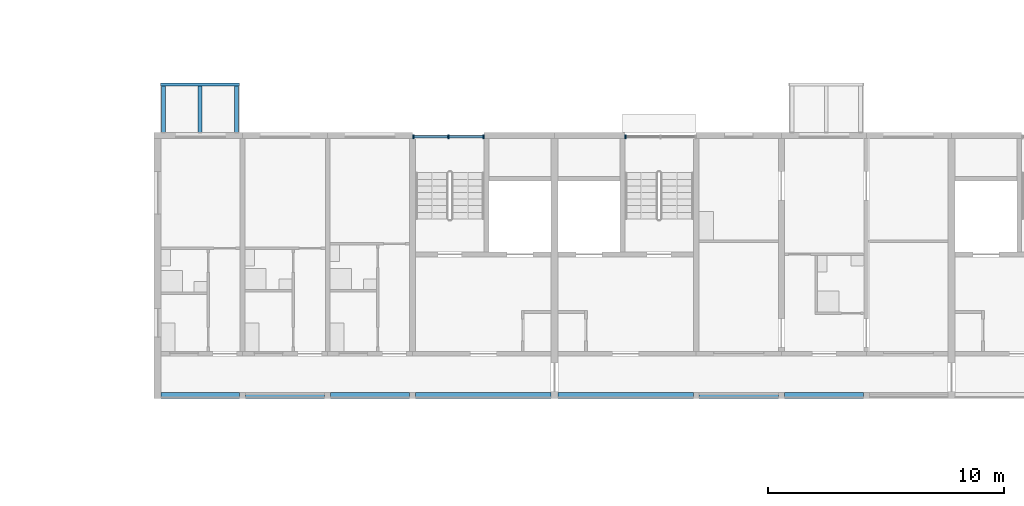
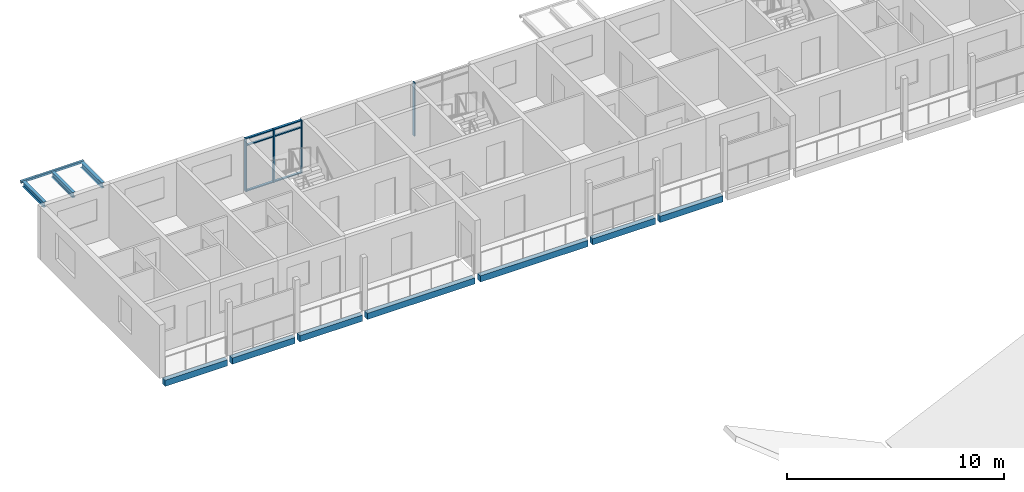
# One storey, part 16 of 122: 11 beams, 10 members, 2 elements without a shape of their own.
"""IFC4 building model written with IfcOpenShell, lengths in metres."""

from ifc_helpers import new_model, si_unit, direction, frame, origin, origin_2d, place, context, subcontext, project, spatial, rectangle, hollow_rectangle, i_section, extrude, material, material_profile, profile_set, type_object, element, aggregate, save


model = new_model("IFC4")

# Units and contexts
model_context = context("Model", 3, precision=1e-05, world=origin(), true_north=direction((0.0, 1.0)))
body_context = subcontext(model_context, "Body", "Model", "MODEL_VIEW")
ifc_project = project(units=[si_unit("LENGTHUNIT", "METRE"), si_unit("AREAUNIT", "SQUARE_METRE"), si_unit("VOLUMEUNIT", "CUBIC_METRE"), si_unit("PLANEANGLEUNIT", "RADIAN"), si_unit("MASSUNIT", "GRAM", prefix="KILO")], contexts=[model_context])

# Site, building, storey
site_placement = place(None, origin())
site = spatial("IfcSite", under=ifc_project, at=site_placement, CompositionType="ELEMENT")
building_placement = place(site_placement, origin())
building = spatial("IfcBuilding", under=site, at=building_placement, Name="Ridgestep Commons", CompositionType="ELEMENT")
storey_placement = place(building_placement, frame((0.0, 0.0, 3.0)))
storey = spatial("IfcBuildingStorey", under=building, at=storey_placement, Name="L01", CompositionType="ELEMENT", Elevation=3.0)

# Beams
ifc_material_1 = material(Name="Precast concrete C40/50", Category="concrete")
ifc_material_profile_1 = material_profile(ifc_material_1, rectangle(XDim=0.25, YDim=0.35009765625, at=origin_2d()), Name="PC 250x350")
ifc_profile_set_1 = profile_set([ifc_material_profile_1], Name="Precast concrete C40/50")
beam_type_1 = type_object("IfcBeamType", Name="Loggia edge beam 250 x 350", PredefinedType="SPANDREL", material=ifc_profile_set_1)
beam_1_placement = place(storey_placement, frame((12.14990234375, 66.125, -0.375), z_axis=(1.0, 0.0, 0.0), x_axis=(0.0, 1.0, 0.0)))
element("IfcBeam", 1, at=beam_1_placement, inside=storey, type_object=beam_type_1, Name="Loggia edge beam B1T1 L01", PredefinedType="SPANDREL", context=body_context, shape_type="SweptSolid", body=[
    extrude(rectangle(XDim=0.25, YDim=0.35009765625, at=origin_2d()), origin(), (0.0, 0.0, 1.0), 3.3251953125),
])
beam_2_placement = place(storey_placement, frame((15.72509765625, 66.125, -0.375), z_axis=(1.0, 0.0, 0.0), x_axis=(0.0, 1.0, 0.0)))
element("IfcBeam", 2, at=beam_2_placement, inside=storey, type_object=beam_type_1, Name="Loggia edge beam B1T2 L01", PredefinedType="SPANDREL", context=body_context, shape_type="SweptSolid", body=[
    extrude(rectangle(XDim=0.25, YDim=0.35009765625, at=origin_2d()), origin(), (0.0, 0.0, 1.0), 3.349853515625),
])
beam_3_placement = place(storey_placement, frame((19.324951171875, 66.125, -0.375), z_axis=(1.0, 0.0, 0.0), x_axis=(0.0, 1.0, 0.0)))
element("IfcBeam", 3, at=beam_3_placement, inside=storey, type_object=beam_type_1, Name="Loggia edge beam B1T3 L01", PredefinedType="SPANDREL", context=body_context, shape_type="SweptSolid", body=[
    extrude(rectangle(XDim=0.25, YDim=0.35009765625, at=origin_2d()), origin(), (0.0, 0.0, 1.0), 3.35009765625),
])
beam_4_placement = place(storey_placement, frame((22.925048828125, 66.125, -0.375), z_axis=(1.0, 0.0, 0.0), x_axis=(0.0, 1.0, 0.0)))
element("IfcBeam", 4, at=beam_4_placement, inside=storey, type_object=beam_type_1, Name="Loggia edge beam B1C L01", PredefinedType="SPANDREL", context=body_context, shape_type="SweptSolid", body=[
    extrude(rectangle(XDim=0.25, YDim=0.35009765625, at=origin_2d()), origin(), (0.0, 0.0, 1.0), 5.724853515625),
])
beam_5_placement = place(storey_placement, frame((28.949951171875, 66.125, -0.375), z_axis=(1.0, 0.0, 0.0), x_axis=(0.0, 1.0, 0.0)))
element("IfcBeam", 5, at=beam_5_placement, inside=storey, type_object=beam_type_1, Name="Loggia edge beam B2C L01", PredefinedType="SPANDREL", context=body_context, shape_type="SweptSolid", body=[
    extrude(rectangle(XDim=0.25, YDim=0.35009765625, at=origin_2d()), origin(), (0.0, 0.0, 1.0), 5.72509765625),
])
beam_6_placement = place(storey_placement, frame((34.925048828125, 66.125, -0.375), z_axis=(1.0, 0.0, 0.0), x_axis=(0.0, 1.0, 0.0)))
element("IfcBeam", 6, at=beam_6_placement, inside=storey, type_object=beam_type_1, Name="Loggia edge beam B2T3 L01", PredefinedType="SPANDREL", context=body_context, shape_type="SweptSolid", body=[
    extrude(rectangle(XDim=0.25, YDim=0.35009765625, at=origin_2d()), origin(), (0.0, 0.0, 1.0), 3.349853515625),
])
beam_7_placement = place(storey_placement, frame((38.52490234375, 66.125, -0.375), z_axis=(1.0, 0.0, 0.0), x_axis=(0.0, 1.0, 0.0)))
element("IfcBeam", 7, at=beam_7_placement, inside=storey, type_object=beam_type_1, Name="Loggia edge beam B2T2 L01", PredefinedType="SPANDREL", context=body_context, shape_type="SweptSolid", body=[
    extrude(rectangle(XDim=0.25, YDim=0.35009765625, at=origin_2d()), origin(), (0.0, 0.0, 1.0), 3.35009765625),
])

# Curtain wall, members
ifc_material_2 = material(Name="Aluminium 6063-T6 and glass", Category="aluminium")
curtain_wall_type = type_object("IfcCurtainWallType", Name="Curtain wall stair strip", PredefinedType="NOTDEFINED", material=ifc_material_2)
curtain_wall_1_placement = place(storey_placement, origin())
curtain_wall_1 = element("IfcCurtainWall", 8, at=curtain_wall_1_placement, inside=storey, type_object=curtain_wall_type, Name="Curtain wall B1C level 01", PredefinedType="NOTDEFINED")
ifc_material_3 = material(Name="Aluminium 6063-T6", Category="aluminium")
ifc_material_profile_2 = material_profile(ifc_material_3, rectangle(XDim=0.159912109375, YDim=0.06005859375, at=origin_2d()), Name="Mullion 60 x 160")
ifc_profile_set_2 = profile_set([ifc_material_profile_2], Name="Aluminium 6063-T6")
member_type_1 = type_object("IfcMemberType", Name="Mullion 60 x 160", PredefinedType="MULLION", material=ifc_profile_set_2)
member_1_placement = place(storey_placement, frame((22.830078125, 77.080078125, 0.0), z_axis=(0.0, 0.0, 1.0), x_axis=(0.0, 1.0, 0.0)))
member_1 = element("IfcMember", 9, at=member_1_placement, type_object=member_type_1, Name="CW1 mullion 1", PredefinedType="MULLION", context=body_context, shape_type="SweptSolid", body=[
    extrude(rectangle(XDim=0.159912109375, YDim=0.06005859375, at=origin_2d()), origin(), (0.0, 0.0, 1.0), 3.0),
])
member_2_placement = place(storey_placement, frame((24.3125, 77.080078125, 0.0), z_axis=(0.0, 0.0, 1.0), x_axis=(0.0, 1.0, 0.0)))
member_2 = element("IfcMember", 10, at=member_2_placement, type_object=member_type_1, Name="CW1 mullion 2", PredefinedType="MULLION", context=body_context, shape_type="SweptSolid", body=[
    extrude(rectangle(XDim=0.159912109375, YDim=0.06005859375, at=origin_2d()), origin(), (0.0, 0.0, 1.0), 3.0),
])
member_3_placement = place(storey_placement, frame((25.794921875, 77.080078125, 0.0), z_axis=(0.0, 0.0, 1.0), x_axis=(0.0, 1.0, 0.0)))
member_3 = element("IfcMember", 11, at=member_3_placement, type_object=member_type_1, Name="CW1 mullion 3", PredefinedType="MULLION", context=body_context, shape_type="SweptSolid", body=[
    extrude(rectangle(XDim=0.159912109375, YDim=0.06005859375, at=origin_2d()), origin(), (0.0, 0.0, 1.0), 3.0),
])

# Curtain wall, member
curtain_wall_2_placement = place(storey_placement, origin())
curtain_wall_2 = element("IfcCurtainWall", 12, at=curtain_wall_2_placement, inside=storey, type_object=curtain_wall_type, Name="Curtain wall B2C level 01", PredefinedType="NOTDEFINED")
member_4_placement = place(storey_placement, frame((31.804931640625, 77.080078125, 0.0), z_axis=(0.0, 0.0, 1.0), x_axis=(0.0, 1.0, 0.0)))
member_4 = element("IfcMember", 13, at=member_4_placement, type_object=member_type_1, Name="CW1 mullion 1", PredefinedType="MULLION", context=body_context, shape_type="SweptSolid", body=[
    extrude(rectangle(XDim=0.159912109375, YDim=0.06005859375, at=origin_2d()), origin(), (0.0, 0.0, 1.0), 3.0),
])
aggregate(curtain_wall_2, [member_4])

# Member
ifc_material_4 = material(Name="Aluminium 6063-T6", Category="aluminium")
ifc_material_profile_3 = material_profile(ifc_material_4, rectangle(XDim=0.1201171875, YDim=0.06005859375, at=origin_2d()), Name="Transom 60 x 120")
ifc_profile_set_3 = profile_set([ifc_material_profile_3], Name="Aluminium 6063-T6")
member_type_2 = type_object("IfcMemberType", Name="Transom 60 x 120", PredefinedType="USERDEFINED", material=ifc_profile_set_3)
member_5_placement = place(storey_placement, frame((22.860107421875, 77.080078125, 0.030029296875), z_axis=(1.0, 0.0, 0.0), x_axis=(0.0, 1.0, 0.0)))
member_5 = element("IfcMember", 14, at=member_5_placement, type_object=member_type_2, Name="CW1 transom 1.1", ObjectType="TRANSOM", PredefinedType="USERDEFINED", context=body_context, shape_type="SweptSolid", body=[
    extrude(rectangle(XDim=0.1201171875, YDim=0.06005859375, at=origin_2d()), origin(), (0.0, 0.0, 1.0), 1.42236328125),
])

member_6_placement = place(storey_placement, frame((22.860107421875, 77.080078125, 2.590087890625), z_axis=(1.0, 0.0, 0.0), x_axis=(0.0, 1.0, 0.0)))
member_6 = element("IfcMember", 15, at=member_6_placement, type_object=member_type_2, Name="CW1 transom 1.2", ObjectType="TRANSOM", PredefinedType="USERDEFINED", context=body_context, shape_type="SweptSolid", body=[
    extrude(rectangle(XDim=0.1201171875, YDim=0.06005859375, at=origin_2d()), origin(), (0.0, 0.0, 1.0), 1.42236328125),
])

member_7_placement = place(storey_placement, frame((22.860107421875, 77.080078125, 2.969970703125), z_axis=(1.0, 0.0, 0.0), x_axis=(0.0, 1.0, 0.0)))
member_7 = element("IfcMember", 16, at=member_7_placement, type_object=member_type_2, Name="CW1 transom 1.3", ObjectType="TRANSOM", PredefinedType="USERDEFINED", context=body_context, shape_type="SweptSolid", body=[
    extrude(rectangle(XDim=0.1201171875, YDim=0.06005859375, at=origin_2d()), origin(), (0.0, 0.0, 1.0), 1.42236328125),
])

member_8_placement = place(storey_placement, frame((24.342529296875, 77.080078125, 0.030029296875), z_axis=(1.0, 0.0, 0.0), x_axis=(0.0, 1.0, 0.0)))
member_8 = element("IfcMember", 17, at=member_8_placement, type_object=member_type_2, Name="CW1 transom 2.1", ObjectType="TRANSOM", PredefinedType="USERDEFINED", context=body_context, shape_type="SweptSolid", body=[
    extrude(rectangle(XDim=0.1201171875, YDim=0.06005859375, at=origin_2d()), origin(), (0.0, 0.0, 1.0), 1.42236328125),
])

member_9_placement = place(storey_placement, frame((24.342529296875, 77.080078125, 2.590087890625), z_axis=(1.0, 0.0, 0.0), x_axis=(0.0, 1.0, 0.0)))
member_9 = element("IfcMember", 18, at=member_9_placement, type_object=member_type_2, Name="CW1 transom 2.2", ObjectType="TRANSOM", PredefinedType="USERDEFINED", context=body_context, shape_type="SweptSolid", body=[
    extrude(rectangle(XDim=0.1201171875, YDim=0.06005859375, at=origin_2d()), origin(), (0.0, 0.0, 1.0), 1.42236328125),
])

member_10_placement = place(storey_placement, frame((24.342529296875, 77.080078125, 2.969970703125), z_axis=(1.0, 0.0, 0.0), x_axis=(0.0, 1.0, 0.0)))
member_10 = element("IfcMember", 19, at=member_10_placement, type_object=member_type_2, Name="CW1 transom 2.3", ObjectType="TRANSOM", PredefinedType="USERDEFINED", context=body_context, shape_type="SweptSolid", body=[
    extrude(rectangle(XDim=0.1201171875, YDim=0.06005859375, at=origin_2d()), origin(), (0.0, 0.0, 1.0), 1.42236328125),
])

aggregate(curtain_wall_1, [member_1, member_2, member_3, member_5, member_6, member_7, member_8, member_9, member_10])

# Beams
ifc_material_5 = material(Name="Weathering steel S355J2W", Category="steel")
ifc_material_profile_4 = material_profile(ifc_material_5, i_section(OverallWidth=0.1650390625, OverallDepth=0.303466796875, WebThickness=0.006103515625, FlangeThickness=0.01025390625, FilletRadius=0.0087890625, at=origin_2d()), Name="UB 305x165x40")
ifc_profile_set_4 = profile_set([ifc_material_profile_4], Name="Weathering steel S355J2W")
beam_type_2 = type_object("IfcBeamType", Name="Tray arm UB 305x165x40", PredefinedType="BEAM", material=ifc_profile_set_4)
for number, where, z_axis, x_axis, name in (
    (20, (12.25, 77.264892578125, 2.83837890625), (0.0, 1.0, 0.0), (-1.0, 0.0, 0.0), "Tray arm B1T1-02.1"),
    (21, (13.800048828125, 77.264892578125, 2.83837890625), (0.0, 1.0, 0.0), (-1.0, 0.0, 0.0), "Tray arm B1T1-02.2"),
    (22, (15.35009765625, 77.264892578125, 2.83837890625), (0.0, 1.0, 0.0), (-1.0, 0.0, 0.0), "Tray arm B1T1-02.3"),
):
    element("IfcBeam", number, at=place(storey_placement, frame(where, z_axis=z_axis, x_axis=x_axis)), inside=storey, type_object=beam_type_2, Name=name, PredefinedType="BEAM", context=body_context, shape_type="SweptSolid", body=[
        extrude(i_section(OverallWidth=0.1650390625, OverallDepth=0.303466796875, WebThickness=0.006103515625, FlangeThickness=0.01025390625, FilletRadius=0.0087890625, at=origin_2d()), origin(), (0.0, 0.0, 1.0), 1.965087890625),
    ])
ifc_material_6 = material(Name="Weathering steel S355J2W", Category="steel")
ifc_material_profile_5 = material_profile(ifc_material_6, hollow_rectangle(XDim=0.1201171875, YDim=0.1201171875, WallThickness=0.00634765625, InnerFilletRadius=0.00634765625, OuterFilletRadius=0.009521484375, at=origin_2d()), Name="SHS 120x120x6.3")
ifc_profile_set_5 = profile_set([ifc_material_profile_5], Name="Weathering steel S355J2W")
beam_type_3 = type_object("IfcBeamType", Name="Tray edge member SHS 120x120x6.3", PredefinedType="BEAM", material=ifc_profile_set_5)
beam_8_placement = place(storey_placement, frame((12.1298828125, 79.2900390625, 2.929931640625), z_axis=(1.0, 0.0, 0.0), x_axis=(0.0, 0.0, 1.0)))
element("IfcBeam", 23, at=beam_8_placement, inside=storey, type_object=beam_type_3, Name="Tray edge member B1T1-02", PredefinedType="BEAM", context=body_context, shape_type="SweptSolid", body=[
    extrude(hollow_rectangle(XDim=0.1201171875, YDim=0.1201171875, WallThickness=0.00634765625, InnerFilletRadius=0.00634765625, OuterFilletRadius=0.009521484375, at=origin_2d()), origin(), (0.0, 0.0, 1.0), 3.340087890625),
])

save(model, "model.ifc")
